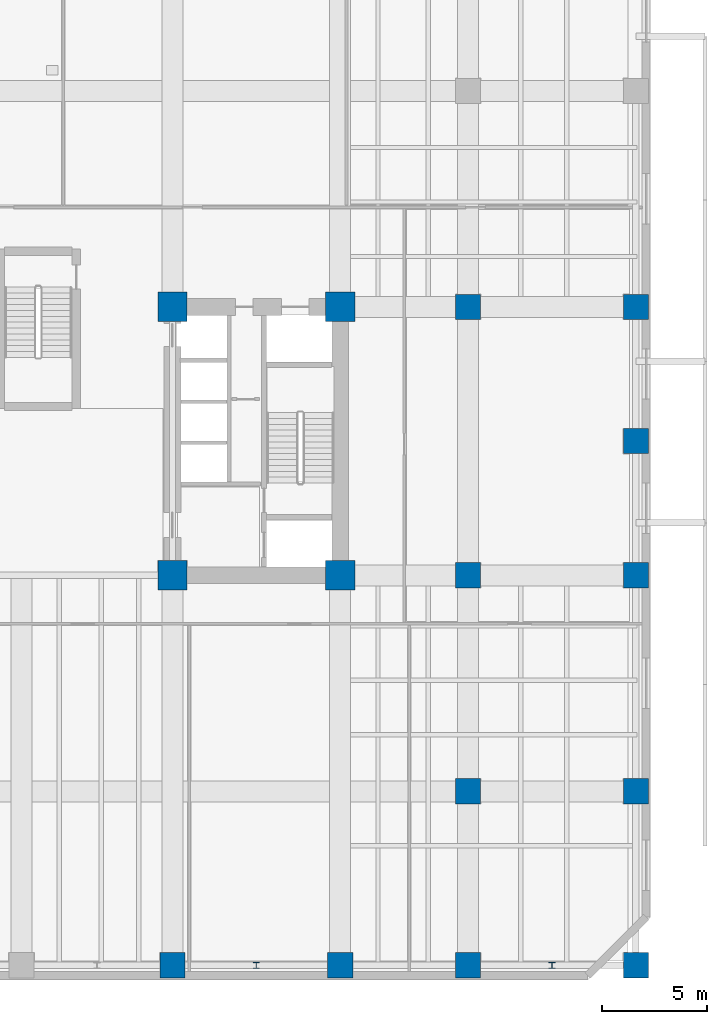
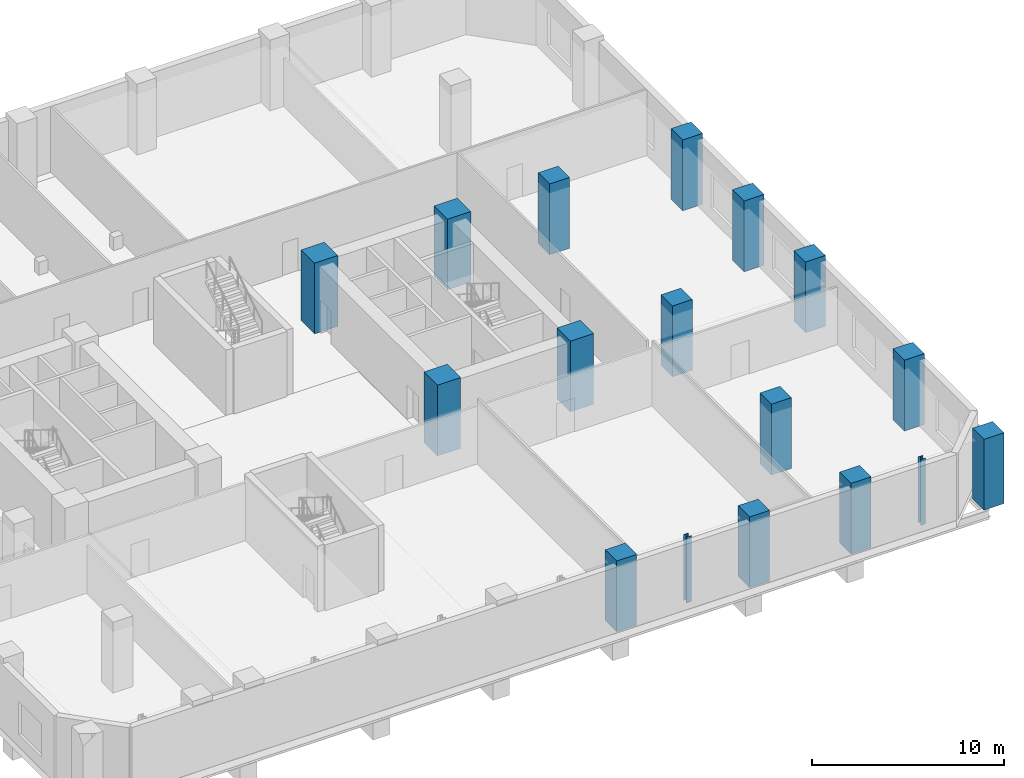
# One storey, part 2 of 15: 17 columns.
"""IFC4 building model written with IfcOpenShell, lengths in metres."""

from ifc_helpers import new_model, si_unit, direction, frame, origin, origin_2d, place, context, subcontext, project, spatial, rectangle, i_section, extrude, material, material_profile, profile_set, type_object, element, save


model = new_model("IFC4")

# Units and contexts
model_context = context("Model", 3, precision=1e-05, world=origin(), true_north=direction((0.0, 1.0)))
body_context = subcontext(model_context, "Body", "Model", "MODEL_VIEW")
ifc_project = project(units=[si_unit("LENGTHUNIT", "METRE"), si_unit("AREAUNIT", "SQUARE_METRE"), si_unit("VOLUMEUNIT", "CUBIC_METRE"), si_unit("PLANEANGLEUNIT", "RADIAN"), si_unit("MASSUNIT", "GRAM", prefix="KILO")], contexts=[model_context])

# Site, building, storey
site_placement = place(None, origin())
site = spatial("IfcSite", under=ifc_project, at=site_placement, CompositionType="ELEMENT")
building_placement = place(site_placement, origin())
building = spatial("IfcBuilding", under=site, at=building_placement, Name="Kranthara Brick Stack", CompositionType="ELEMENT")
storey_placement = place(building_placement, frame((0.0, 0.0, 5.39990234375)))
storey = spatial("IfcBuildingStorey", under=building, at=storey_placement, Name="L01", CompositionType="ELEMENT", Elevation=5.39990234375)

# Columns
ifc_material_1 = material(Name="Concrete C70/85", Category="concrete")
ifc_material_profile_1 = material_profile(ifc_material_1, rectangle(XDim=1.39990234375, YDim=1.39990234375, at=origin_2d()), Name="RC 1400x1400")
ifc_profile_set_1 = profile_set([ifc_material_profile_1], Name="Concrete C70/85")
column_type_1 = type_object("IfcColumnType", Name="COL-CORE-1400", PredefinedType="COLUMN", material=ifc_profile_set_1)
for number, where, z_axis, x_axis, name in (
    (1, (35.199951171875, 20.800048828125, 0.0), (0.0, 0.0, 1.0), (1.0, 0.0, 0.0), "L01 Column 05"),
    (2, (43.199951171875, 20.800048828125, 0.0), (0.0, 0.0, 1.0), (1.0, 0.0, 0.0), "L01 Column 06"),
    (3, (35.199951171875, 33.60009765625, 0.0), (0.0, 0.0, 1.0), (1.0, 0.0, 0.0), "L01 Column 07"),
    (4, (43.199951171875, 33.60009765625, 0.0), (0.0, 0.0, 1.0), (1.0, 0.0, 0.0), "L01 Column 08"),
):
    element("IfcColumn", number, at=place(storey_placement, frame(where, z_axis=z_axis, x_axis=x_axis)), inside=storey, type_object=column_type_1, Name=name, PredefinedType="COLUMN", context=body_context, shape_type="SweptSolid", body=[
        extrude(rectangle(XDim=1.39990234375, YDim=1.39990234375, at=origin_2d()), origin(), (0.0, 0.0, 1.0), 4.5),
    ])
ifc_material_2 = material(Name="Steel S355", Category="steel")
ifc_material_profile_2 = material_profile(ifc_material_2, i_section(OverallWidth=0.300048828125, OverallDepth=0.300048828125, WebThickness=0.010986328125, FlangeThickness=0.01904296875, at=origin_2d()), Name="HEB 300")
ifc_profile_set_2 = profile_set([ifc_material_profile_2], Name="Steel S355")
column_type_2 = type_object("IfcColumnType", Name="COL-PIL-HEB300", PredefinedType="PILASTER", material=ifc_profile_set_2)
for number, where, z_axis, x_axis, name in (
    (5, (39.199951171875, 2.199951171875, 0.0), (0.0, 0.0, 1.0), (1.0, 0.0, 0.0), "L01 Facade Pilaster 05"),
    (6, (53.300048828125, 2.199951171875, 0.0), (0.0, 0.0, 1.0), (1.0, 0.0, 0.0), "L01 Facade Pilaster 06"),
):
    element("IfcColumn", number, at=place(storey_placement, frame(where, z_axis=z_axis, x_axis=x_axis)), inside=storey, type_object=column_type_2, Name=name, PredefinedType="PILASTER", context=body_context, shape_type="SweptSolid", body=[
        extrude(i_section(OverallWidth=0.300048828125, OverallDepth=0.300048828125, WebThickness=0.010986328125, FlangeThickness=0.01904296875, at=origin_2d()), origin(), (0.0, 0.0, 1.0), 4.18017578125),
    ])
ifc_material_3 = material(Name="Concrete C70/85", Category="concrete")
ifc_material_profile_3 = material_profile(ifc_material_3, rectangle(XDim=1.199951171875, YDim=1.199951171875, at=origin_2d()), Name="RC 1200x1200")
ifc_profile_set_3 = profile_set([ifc_material_profile_3], Name="Concrete C70/85")
column_type_3 = type_object("IfcColumnType", Name="COL-RC-1200", PredefinedType="COLUMN", material=ifc_profile_set_3)
for number, where, z_axis, x_axis, name in (
    (7, (35.199951171875, 2.199951171875, 0.0), (0.0, 0.0, 1.0), (1.0, 0.0, 0.0), "L01 Column 19"),
    (8, (43.199951171875, 2.199951171875, 0.0), (0.0, 0.0, 1.0), (1.0, 0.0, 0.0), "L01 Column 21"),
    (9, (49.300048828125, 2.199951171875, 0.0), (0.0, 0.0, 1.0), (1.0, 0.0, 0.0), "L01 Column 23"),
    (10, (57.300048828125, 2.199951171875, 0.0), (0.0, 0.0, 1.0), (1.0, 0.0, 0.0), "L01 Column 25"),
    (11, (57.300048828125, 10.5, 0.0), (0.0, 0.0, 1.0), (1.0, 0.0, 0.0), "L01 Column 28"),
    (12, (57.300048828125, 20.800048828125, 0.0), (0.0, 0.0, 1.0), (1.0, 0.0, 0.0), "L01 Column 30"),
    (13, (57.300048828125, 27.199951171875, 0.0), (0.0, 0.0, 1.0), (1.0, 0.0, 0.0), "L01 Column 32"),
    (14, (57.300048828125, 33.60009765625, 0.0), (0.0, 0.0, 1.0), (1.0, 0.0, 0.0), "L01 Column 34"),
    (15, (49.300048828125, 10.5, 0.0), (0.0, 0.0, 1.0), (1.0, 0.0, 0.0), "L01 Column 41"),
    (16, (49.300048828125, 20.800048828125, 0.0), (0.0, 0.0, 1.0), (1.0, 0.0, 0.0), "L01 Column 42"),
    (17, (49.300048828125, 33.60009765625, 0.0), (0.0, 0.0, 1.0), (1.0, 0.0, 0.0), "L01 Column 43"),
):
    element("IfcColumn", number, at=place(storey_placement, frame(where, z_axis=z_axis, x_axis=x_axis)), inside=storey, type_object=column_type_3, Name=name, PredefinedType="COLUMN", context=body_context, shape_type="SweptSolid", body=[
        extrude(rectangle(XDim=1.199951171875, YDim=1.199951171875, at=origin_2d()), origin(), (0.0, 0.0, 1.0), 4.5),
    ])

save(model, "model.ifc")
